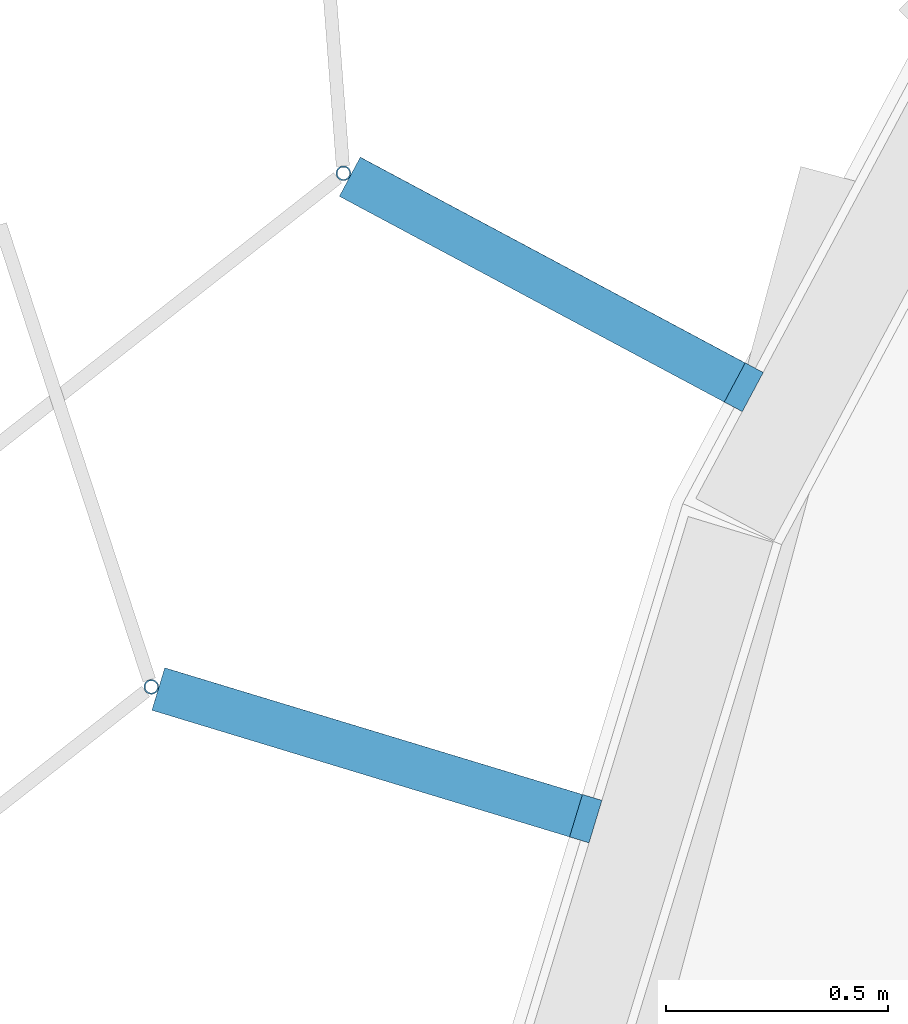
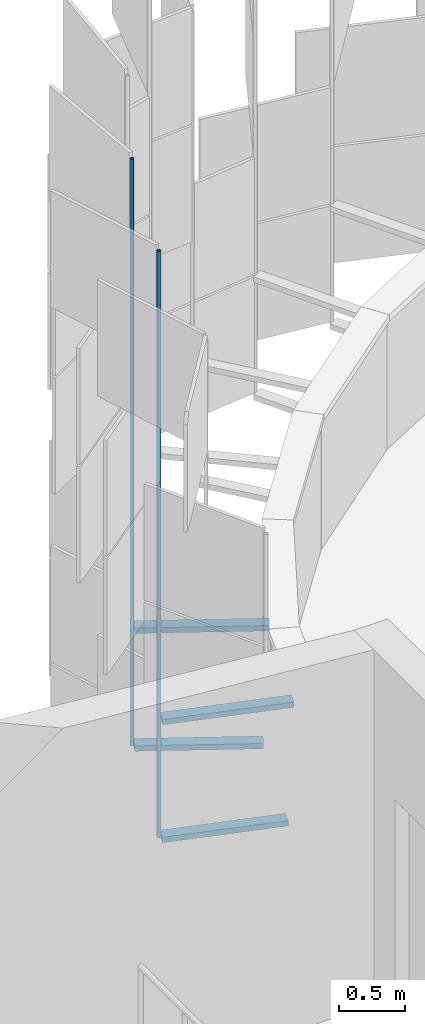
# One storey, part 329 of 483: 6 discrete accessories.
"""IFC4 building model written with IfcOpenShell, lengths in metres."""

import ifcopenshell
import ifcopenshell.guid

model = None  # the IFC model being written
_history = None  # IfcOwnerHistory: only IFC2X3 demands one
_inside = {}  # id of a spatial element -> (the spatial element, [elements in it])
_under = {}  # id of a project, library or spatial element -> (it, [spatial elements below it])
_declared = {}  # id of a project -> (the project, [libraries it declares])
_typed = {}  # id of a type object -> (the type object, [elements of that type])
_made_of = {}  # id of a material, layer set ... -> (it, [elements and type objects made of it])


def new_model(schema):
    """Start an empty IFC model of exactly this schema.

    Asked for "IFC4X3", IfcOpenShell would pick the latest addendum, in which some entities
    have other attributes; the version numbers below select the first issue.
    IFC2X3 requires an IfcOwnerHistory on every rooted entity: one is made here for all.
    """
    global model, _history
    if schema == "IFC4X3":
        model = ifcopenshell.file(schema_version=(4, 3, 0, 0))
    else:
        model = ifcopenshell.file(schema=schema)
    _inside.clear()
    _under.clear()
    _declared.clear()
    _typed.clear()
    _made_of.clear()
    _history = None
    if model.schema == "IFC2X3":
        org = make("IfcOrganization", Name="unknown")
        user = make(
            "IfcPersonAndOrganization",
            ThePerson=make("IfcPerson", FamilyName="unknown"),
            TheOrganization=org,
        )
        app = make(
            "IfcApplication",
            ApplicationDeveloper=org,
            Version="unknown",
            ApplicationFullName="unknown",
            ApplicationIdentifier="unknown",
        )
        _history = make(
            "IfcOwnerHistory",
            OwningUser=user,
            OwningApplication=app,
            ChangeAction="ADDED",
            CreationDate=0,
        )
    return model


def make(cls, **values):
    """One entity of the class cls with the attributes given. An attribute that is None is left unset."""
    return model.create_entity(
        cls, **{name: value for name, value in values.items() if value is not None}
    )


def rooted(cls, **values):
    """An entity with a GlobalId (a new one), such as an element, a storey or a relation."""
    return make(cls, GlobalId=ifcopenshell.guid.new(), OwnerHistory=_history, **values)


def si_unit(unit_type, name, prefix=None):
    """IfcSIUnit, for example si_unit("LENGTHUNIT", "METRE", prefix="MILLI")."""
    return make("IfcSIUnit", UnitType=unit_type, Prefix=prefix, Name=name)


def assignment(units):
    """IfcUnitAssignment: the units of a project."""
    return None if units is None else make("IfcUnitAssignment", Units=units)


def point(xyz):
    """IfcCartesianPoint."""
    return None if xyz is None else make("IfcCartesianPoint", Coordinates=xyz)


def direction(xyz):
    """IfcDirection."""
    return None if xyz is None else make("IfcDirection", DirectionRatios=xyz)


def frame(location, z_axis=None, x_axis=None):
    """IfcAxis2Placement3D, a coordinate frame: its origin and axes. An axis left out is left unset."""
    return make(
        "IfcAxis2Placement3D",
        Location=point(location),
        Axis=direction(z_axis),
        RefDirection=direction(x_axis),
    )


def frame_2d(location, x_axis=None):
    """IfcAxis2Placement2D, a coordinate frame in the plane: its origin and x axis."""
    return make(
        "IfcAxis2Placement2D", Location=point(location), RefDirection=direction(x_axis)
    )


def origin():
    """The frame at (0, 0, 0) with its axes left unset."""
    return frame((0.0, 0.0, 0.0))


def origin_2d():
    """The frame at (0, 0) in the plane with its x axis left unset."""
    return frame_2d((0.0, 0.0))


def place(relative_to, where):
    """IfcLocalPlacement: puts the frame where relative to a parent placement (None: the world)."""
    return make(
        "IfcLocalPlacement", PlacementRelTo=relative_to, RelativePlacement=where
    )


def context(
    kind, dimensions, precision=None, world=None, true_north=None, identifier=None
):
    """IfcGeometricRepresentationContext, for example the 3D "Model" context."""
    return make(
        "IfcGeometricRepresentationContext",
        ContextIdentifier=identifier,
        ContextType=kind,
        CoordinateSpaceDimension=dimensions,
        Precision=precision,
        WorldCoordinateSystem=world,
        TrueNorth=true_north,
    )


def subcontext(parent, identifier, kind, view, scale=None):
    """IfcGeometricRepresentationSubContext, for example "Body" below "Model"."""
    return make(
        "IfcGeometricRepresentationSubContext",
        ContextIdentifier=identifier,
        ContextType=kind,
        ParentContext=parent,
        TargetScale=scale,
        TargetView=view,
    )


def project(units=None, contexts=None):
    """IfcProject with its units and contexts."""
    return rooted(
        "IfcProject",
        Name="project",
        RepresentationContexts=contexts,
        UnitsInContext=assignment(units),
    )


def spatial(cls, under=None, at=None, **own):
    """A site, building, storey or space (cls), placed at a placement, below another one or the project."""
    s = rooted(cls, ObjectPlacement=at, **own)
    if under is not None:
        _under.setdefault(under.id(), (under, []))[1].append(s)
    return s


def profile(cls, at=None, kind="AREA", **sizes):
    """A parametric profile (cls). Its sizes go by their IFC names, for example OverallWidth=200.0."""
    return make(cls, ProfileType=kind, Position=at, **sizes)


def rectangle(**sizes):
    """IfcRectangleProfileDef."""
    return profile("IfcRectangleProfileDef", **sizes)


def hollow_circle(**sizes):
    """IfcCircleHollowProfileDef."""
    return profile("IfcCircleHollowProfileDef", **sizes)


def extrude(swept, where, along, depth):
    """IfcExtrudedAreaSolid: the profile swept, set in the frame where, extruded along a direction by depth."""
    return make(
        "IfcExtrudedAreaSolid",
        SweptArea=swept,
        Position=where,
        ExtrudedDirection=direction(along),
        Depth=depth,
    )


def shape(context_of_items, identifier, shape_type, items):
    """IfcShapeRepresentation: the items that make up one representation, for example the "Body"."""
    return make(
        "IfcShapeRepresentation",
        ContextOfItems=context_of_items,
        RepresentationIdentifier=identifier,
        RepresentationType=shape_type,
        Items=items,
    )


def material(Name=None, Category=None):
    """IfcMaterial."""
    return make("IfcMaterial", Name=Name, Category=Category)


def material_profile(
    of_material, cross_section, Name=None, Category=None, Priority=None
):
    """IfcMaterialProfile: a cross section and its material."""
    return make(
        "IfcMaterialProfile",
        Name=Name,
        Material=of_material,
        Profile=cross_section,
        Priority=Priority,
        Category=Category,
    )


def profile_set(profiles, Name=None, composite=None):
    """IfcMaterialProfileSet."""
    return make(
        "IfcMaterialProfileSet",
        Name=Name,
        MaterialProfiles=profiles,
        CompositeProfile=composite,
    )


def made_of(thing, what):
    """Note that an element or type object is made of a material, layer set ...; save() writes the relation."""
    if what is not None:
        _made_of.setdefault(what.id(), (what, []))[1].append(thing)
    return thing


def type_object(cls, material=None, **own):
    """A type object (cls), such as IfcWallType, which elements share."""
    return made_of(rooted(cls, **own), material)


def element(
    cls,
    number,
    at=None,
    inside=None,
    cuts=None,
    type_object=None,
    material=None,
    context=None,
    identifier="Body",
    shape_type=None,
    held_by="IfcProductDefinitionShape",
    body=None,
    shapes=None,
    **own,
):
    """One element of the class cls, such as IfcWall. Its Tag is "e" and its number.

    at: its placement. inside: the storey or other place that contains it. cuts: it is an
    opening in that element (IfcRelVoidsElement). A single representation is given by context,
    identifier, shape_type and body (its items); several are given by shapes. held_by: the class
    of the entity that holds the representations. save() writes the other relations.
    """
    e = rooted(cls, Tag="e%d" % number, ObjectPlacement=at, **own)
    if body is not None:
        shapes = [shape(context, identifier, shape_type, body)]
    if shapes is not None:
        e.Representation = make(held_by, Representations=shapes)
    if inside is not None:
        _inside.setdefault(inside.id(), (inside, []))[1].append(e)
    if cuts is not None:
        rooted(
            "IfcRelVoidsElement", RelatingBuildingElement=cuts, RelatedOpeningElement=e
        )
    if type_object is not None:
        _typed.setdefault(type_object.id(), (type_object, []))[1].append(e)
    return made_of(e, material)


def aggregate(whole, parts):
    """IfcRelAggregates: a whole, such as a stair, and the parts it consists of."""
    return rooted("IfcRelAggregates", RelatingObject=whole, RelatedObjects=parts)


def save(model, path):
    """Write the relations noted so far, then the file.

    IfcRelAggregates (storeys below a building ...), IfcRelContainedInSpatialStructure (elements
    in a storey), IfcRelDefinesByType, IfcRelAssociatesMaterial and IfcRelDeclares: one each for
    every whole, place, type object, material and project.
    """
    for whole, parts in _under.values():
        aggregate(whole, parts)
    for where, things in _inside.values():
        rooted(
            "IfcRelContainedInSpatialStructure",
            RelatedElements=things,
            RelatingStructure=where,
        )
    for kind, things in _typed.values():
        rooted("IfcRelDefinesByType", RelatedObjects=things, RelatingType=kind)
    for what, things in _made_of.values():
        rooted("IfcRelAssociatesMaterial", RelatedObjects=things, RelatingMaterial=what)
    for by, libraries in _declared.values():
        rooted("IfcRelDeclares", RelatingContext=by, RelatedDefinitions=libraries)
    model.write(path)


model = new_model("IFC4")

# Units and contexts
model_context = context("Model", 3, precision=1e-05, world=origin(), true_north=direction((0.0, 1.0)))
body_context = subcontext(model_context, "Body", "Model", "MODEL_VIEW")
ifc_project = project(units=[si_unit("LENGTHUNIT", "METRE"), si_unit("AREAUNIT", "SQUARE_METRE"), si_unit("VOLUMEUNIT", "CUBIC_METRE"), si_unit("PLANEANGLEUNIT", "RADIAN"), si_unit("MASSUNIT", "GRAM", prefix="KILO")], contexts=[model_context])

# Site, building, storey
site_placement = place(None, origin())
site = spatial("IfcSite", under=ifc_project, at=site_placement, CompositionType="ELEMENT")
building_placement = place(site_placement, origin())
building = spatial("IfcBuilding", under=site, at=building_placement, Name="Parallax Yard Mobility Hub", CompositionType="ELEMENT")
storey_placement = place(building_placement, frame((0.0, 0.0, 13.199951171875)))
storey = spatial("IfcBuildingStorey", under=building, at=storey_placement, Name="L04", CompositionType="ELEMENT", Elevation=13.199951171875)

# Discrete accessories
ifc_material_1 = material(Name="Steel ASTM A36, hot-dip galvanised", Category="steel")
discrete_accessory_type_1 = type_object("IfcDiscreteAccessoryType", Name="Hinge bracket plate 100x50", PredefinedType="BRACKET", material=ifc_material_1)
discrete_accessory_1_placement = place(storey_placement, frame((22.77978515625, 138.368408203125, -0.02490234375), z_axis=(0.0, 0.0, 1.0), x_axis=(-0.881921264348, 0.471396736826, 0.0)))
element("IfcDiscreteAccessory", 1, at=discrete_accessory_1_placement, inside=storey, type_object=discrete_accessory_type_1, Name="Hinge bracket plate bay 70.9 level L04", PredefinedType="BRACKET", context=body_context, shape_type="SweptSolid", body=[
    extrude(rectangle(XDim=0.984130859375, YDim=0.10009765625, at=origin_2d()), origin(), (0.0, 0.0, 1.0), 0.050048828125),
])
discrete_accessory_2_placement = place(storey_placement, frame((22.80029296875, 138.357666015625, 1.06982421875), z_axis=(0.0, 0.0, 1.0), x_axis=(-0.881921264348, 0.471396736826, 0.0)))
element("IfcDiscreteAccessory", 2, at=discrete_accessory_2_placement, inside=storey, type_object=discrete_accessory_type_1, Name="Hinge bracket plate bay 70.9 level L04", PredefinedType="BRACKET", context=body_context, shape_type="SweptSolid", body=[
    extrude(rectangle(XDim=1.030029296875, YDim=0.10009765625, at=origin_2d()), origin(), (0.0, 0.0, 1.0), 0.050048828125),
])
discrete_accessory_3_placement = place(storey_placement, frame((22.385009765625, 137.302490234375, -0.02490234375), z_axis=(0.0, 0.0, 1.0), x_axis=(-0.956940335732, 0.290284677254, 0.0)))
element("IfcDiscreteAccessory", 3, at=discrete_accessory_3_placement, inside=storey, type_object=discrete_accessory_type_1, Name="Hinge bracket plate bay 70.10 level L04", PredefinedType="BRACKET", context=body_context, shape_type="SweptSolid", body=[
    extrude(rectangle(XDim=0.984130859375, YDim=0.10009765625, at=origin_2d()), origin(), (0.0, 0.0, 1.0), 0.050048828125),
])
discrete_accessory_4_placement = place(storey_placement, frame((22.406982421875, 137.2958984375, 1.06982421875), z_axis=(0.0, 0.0, 1.0), x_axis=(-0.956940335732, 0.290284677254, 0.0)))
element("IfcDiscreteAccessory", 4, at=discrete_accessory_4_placement, inside=storey, type_object=discrete_accessory_type_1, Name="Hinge bracket plate bay 70.10 level L04", PredefinedType="BRACKET", context=body_context, shape_type="SweptSolid", body=[
    extrude(rectangle(XDim=1.030029296875, YDim=0.10009765625, at=origin_2d()), origin(), (0.0, 0.0, 1.0), 0.050048828125),
])
ifc_material_2 = material(Name="Steel ASTM A500 Gr C, hot-dip galvanised", Category="steel")
ifc_material_profile = material_profile(ifc_material_2, hollow_circle(Radius=0.016845703125, WallThickness=0.003173828125, at=origin_2d()), Name="CHS 33.7x3.2")
ifc_profile_set = profile_set([ifc_material_profile], Name="Steel ASTM A500 Gr C, hot-dip galvanised")
discrete_accessory_type_2 = type_object("IfcDiscreteAccessoryType", Name="Hinge post CHS 33.7x3.2", PredefinedType="BRACKET", material=ifc_profile_set)
for number, where, z_axis, x_axis, name in (
    (5, (22.33154296875, 138.608154296875, 0.0), (0.0, 0.0, 1.0), (1.0, 0.0, 0.0), "Hinge post bay 70.9 level L04"),
    (6, (21.8984375, 137.4501953125, 0.0), (0.0, 0.0, 1.0), (1.0, 0.0, 0.0), "Hinge post bay 70.10 level L04"),
):
    element("IfcDiscreteAccessory", number, at=place(storey_placement, frame(where, z_axis=z_axis, x_axis=x_axis)), inside=storey, type_object=discrete_accessory_type_2, Name=name, PredefinedType="BRACKET", context=body_context, shape_type="SweptSolid", body=[
        extrude(hollow_circle(Radius=0.016845703125, WallThickness=0.003173828125, at=origin_2d()), origin(), (0.0, 0.0, 1.0), 5.449951171875),
    ])

save(model, "model.ifc")
